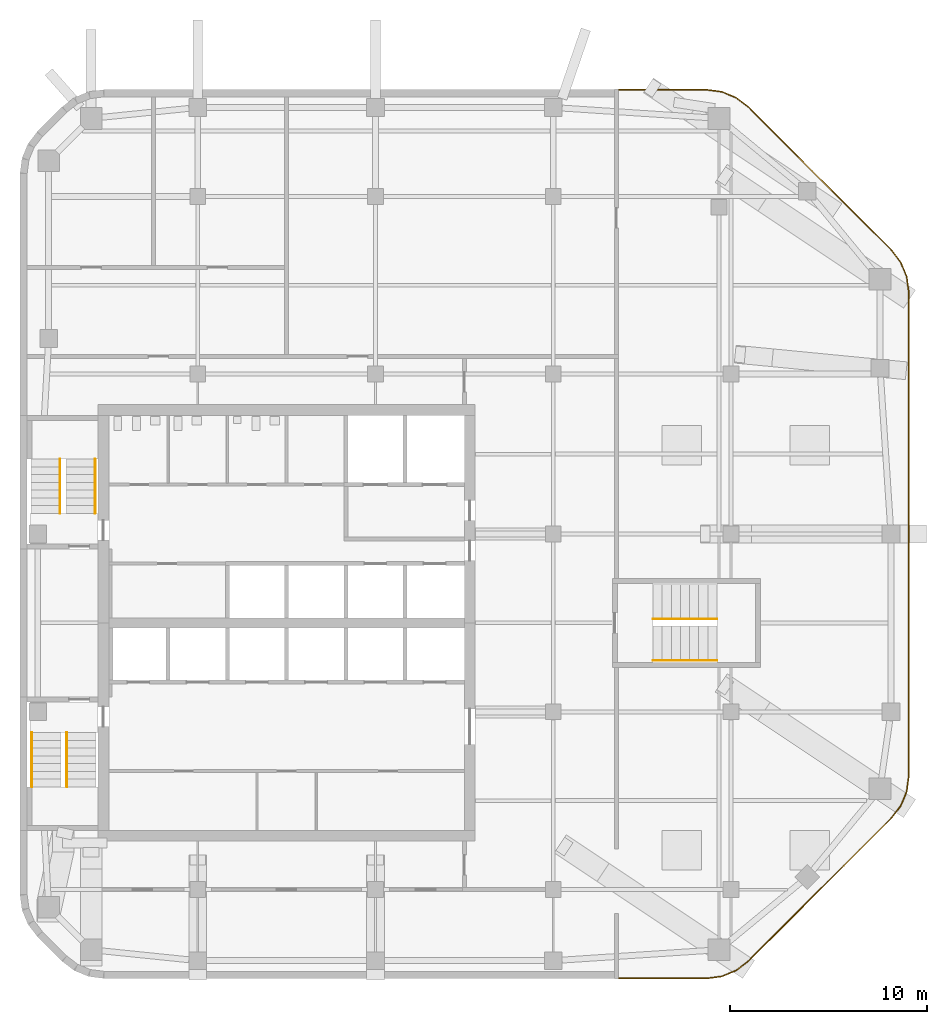
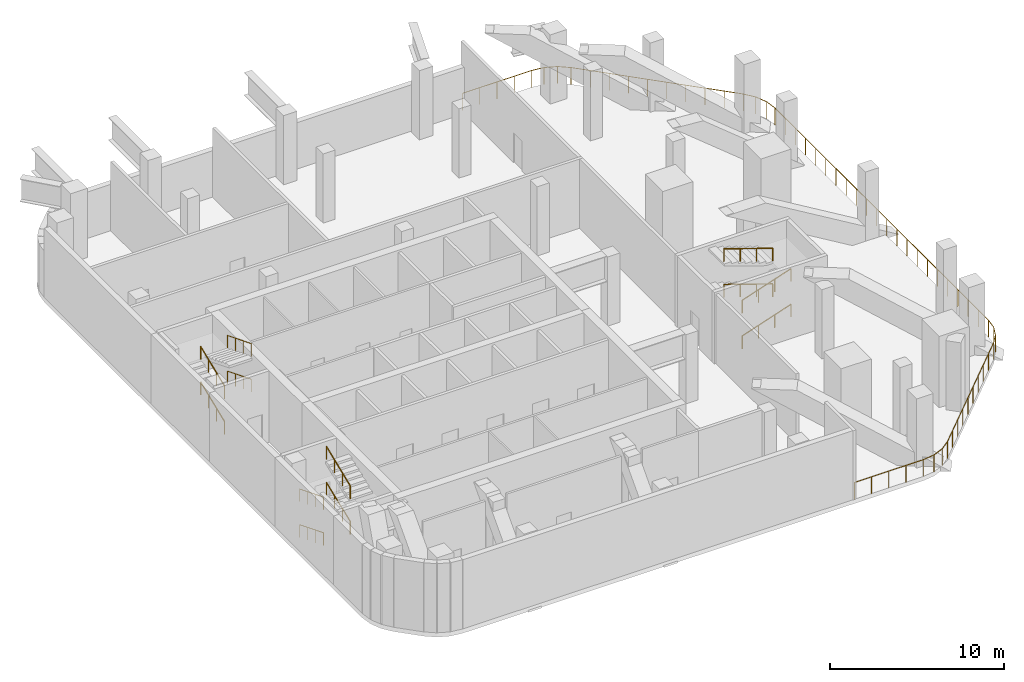
# One storey, part 6 of 8: 13 railings, 3 elements without a shape of their own.
"""IFC4 building model written with IfcOpenShell, lengths in metres."""

from ifc_helpers import new_model, si_unit, direction, frame, origin, origin_2d, place, context, subcontext, project, spatial, circle, extrude, material, type_object, element, aggregate, save


model = new_model("IFC4")

# Units and contexts
model_context = context("Model", 3, precision=1e-05, world=origin(), true_north=direction((0.0, 1.0)))
body_context = subcontext(model_context, "Body", "Model", "MODEL_VIEW")
ifc_project = project(units=[si_unit("LENGTHUNIT", "METRE"), si_unit("AREAUNIT", "SQUARE_METRE"), si_unit("VOLUMEUNIT", "CUBIC_METRE"), si_unit("PLANEANGLEUNIT", "RADIAN"), si_unit("MASSUNIT", "GRAM", prefix="KILO")], contexts=[model_context])

# Site, building, storey
site_placement = place(None, origin())
site = spatial("IfcSite", under=ifc_project, at=site_placement, CompositionType="ELEMENT")
building_placement = place(site_placement, origin())
building = spatial("IfcBuilding", under=site, at=building_placement, Name="Cinnabar Reach Civic Tower", CompositionType="ELEMENT")
storey_placement = place(building_placement, frame((0.0, 0.0, 242.0)))
storey = spatial("IfcBuildingStorey", under=building, at=storey_placement, Name="L58", CompositionType="ELEMENT", Elevation=242.0)

# Stair, railings
ifc_material_1 = material(Name="Concrete C40/50", Category="concrete")
stair_type = type_object("IfcStairType", Name="T1 Exit stair, double return", PredefinedType="DOUBLE_RETURN_STAIR", material=ifc_material_1)
stair_1_placement = place(storey_placement, origin())
stair_1 = element("IfcStair", 1, at=stair_1_placement, inside=storey, type_object=stair_type, Name="Stair T1-S1", PredefinedType="DOUBLE_RETURN_STAIR")
ifc_material_2 = material(Name="Stainless steel tube", Category="steel")
railing_type_1 = type_object("IfcRailingType", Name="T1 Stair handrail, stainless tube 48", PredefinedType="HANDRAIL", material=ifc_material_2)
railing_1_placement = place(storey_placement, frame((0.6, 25.95, 0.1562)))
railing_1 = element("IfcRailing", 2, at=railing_1_placement, type_object=railing_type_1, Name="T1-S1 handrail 1", PredefinedType="HANDRAIL", context=body_context, shape_type="SweptSolid", body=[
    extrude(circle(Radius=0.024, at=origin_2d()), frame((0.0, 0.0, 0.876), z_axis=(0.0, -0.928966009512, 0.370165035047), x_axis=(1.0, 0.0, 0.0)), (0.0, 0.0, 1.0), 2.9549),
    extrude(circle(Radius=0.021, at=origin_2d()), origin(), (0.0, 0.0, 1.0), 0.852),
    extrude(circle(Radius=0.021, at=origin_2d()), frame((0.0, -0.915, 0.3646)), (0.0, 0.0, 1.0), 0.852),
    extrude(circle(Radius=0.021, at=origin_2d()), frame((0.0, -1.83, 0.7292)), (0.0, 0.0, 1.0), 0.852),
    extrude(circle(Radius=0.021, at=origin_2d()), frame((0.0, -2.745, 1.0938)), (0.0, 0.0, 1.0), 0.852),
])
railing_2_placement = place(storey_placement, frame((2.375, 23.205, 1.4062)))
railing_2 = element("IfcRailing", 3, at=railing_2_placement, type_object=railing_type_1, Name="T1-S1 handrail 2", PredefinedType="HANDRAIL", context=body_context, shape_type="SweptSolid", body=[
    extrude(circle(Radius=0.024, at=origin_2d()), frame((0.0, 0.0, 0.876), z_axis=(0.0, 0.928966009512, 0.370165035047), x_axis=(-1.0, 0.0, 0.0)), (0.0, 0.0, 1.0), 2.9549),
    extrude(circle(Radius=0.021, at=origin_2d()), origin(), (0.0, 0.0, 1.0), 0.852),
    extrude(circle(Radius=0.021, at=origin_2d()), frame((0.0, 0.915, 0.3646)), (0.0, 0.0, 1.0), 0.852),
    extrude(circle(Radius=0.021, at=origin_2d()), frame((0.0, 1.83, 0.7292)), (0.0, 0.0, 1.0), 0.852),
    extrude(circle(Radius=0.021, at=origin_2d()), frame((0.0, 2.745, 1.0938)), (0.0, 0.0, 1.0), 0.852),
])
railing_3_placement = place(storey_placement, frame((0.6, 25.95, 2.6562)))
railing_3 = element("IfcRailing", 4, at=railing_3_placement, type_object=railing_type_1, Name="T1-S1 handrail 3", PredefinedType="HANDRAIL", context=body_context, shape_type="SweptSolid", body=[
    extrude(circle(Radius=0.024, at=origin_2d()), frame((0.0, 0.0, 0.876), z_axis=(0.0, -0.928966009512, 0.370165035047), x_axis=(1.0, 0.0, 0.0)), (0.0, 0.0, 1.0), 2.9549),
    extrude(circle(Radius=0.021, at=origin_2d()), origin(), (0.0, 0.0, 1.0), 0.852),
    extrude(circle(Radius=0.021, at=origin_2d()), frame((0.0, -0.915, 0.3646)), (0.0, 0.0, 1.0), 0.852),
    extrude(circle(Radius=0.021, at=origin_2d()), frame((0.0, -1.83, 0.7292)), (0.0, 0.0, 1.0), 0.852),
    extrude(circle(Radius=0.021, at=origin_2d()), frame((0.0, -2.745, 1.0938)), (0.0, 0.0, 1.0), 0.852),
])
railing_4_placement = place(storey_placement, frame((2.375, 23.205, 3.9062)))
railing_4 = element("IfcRailing", 5, at=railing_4_placement, type_object=railing_type_1, Name="T1-S1 handrail 4", PredefinedType="HANDRAIL", context=body_context, shape_type="SweptSolid", body=[
    extrude(circle(Radius=0.024, at=origin_2d()), frame((0.0, 0.0, 0.876), z_axis=(0.0, 0.928966009512, 0.370165035047), x_axis=(-1.0, 0.0, 0.0)), (0.0, 0.0, 1.0), 2.9549),
    extrude(circle(Radius=0.021, at=origin_2d()), origin(), (0.0, 0.0, 1.0), 0.852),
    extrude(circle(Radius=0.021, at=origin_2d()), frame((0.0, 0.915, 0.3646)), (0.0, 0.0, 1.0), 0.852),
    extrude(circle(Radius=0.021, at=origin_2d()), frame((0.0, 1.83, 0.7292)), (0.0, 0.0, 1.0), 0.852),
    extrude(circle(Radius=0.021, at=origin_2d()), frame((0.0, 2.745, 1.0938)), (0.0, 0.0, 1.0), 0.852),
])
aggregate(stair_1, [railing_1, railing_2, railing_3, railing_4])

stair_2_placement = place(storey_placement, origin())
stair_2 = element("IfcStair", 6, at=stair_2_placement, inside=storey, type_object=stair_type, Name="Stair T1-S2", PredefinedType="DOUBLE_RETURN_STAIR")
railing_5_placement = place(storey_placement, frame((2.025, 37.05, 0.1562)))
railing_5 = element("IfcRailing", 7, at=railing_5_placement, type_object=railing_type_1, Name="T1-S2 handrail 1", PredefinedType="HANDRAIL", context=body_context, shape_type="SweptSolid", body=[
    extrude(circle(Radius=0.024, at=origin_2d()), frame((0.0, 0.0, 0.876), z_axis=(0.0, 0.928966009512, 0.370165035047), x_axis=(-1.0, 0.0, 0.0)), (0.0, 0.0, 1.0), 2.9549),
    extrude(circle(Radius=0.021, at=origin_2d()), origin(), (0.0, 0.0, 1.0), 0.852),
    extrude(circle(Radius=0.021, at=origin_2d()), frame((0.0, 0.915, 0.3646)), (0.0, 0.0, 1.0), 0.852),
    extrude(circle(Radius=0.021, at=origin_2d()), frame((0.0, 1.83, 0.7292)), (0.0, 0.0, 1.0), 0.852),
    extrude(circle(Radius=0.021, at=origin_2d()), frame((0.0, 2.745, 1.0938)), (0.0, 0.0, 1.0), 0.852),
])
railing_6_placement = place(storey_placement, frame((3.8, 39.795, 1.4062)))
railing_6 = element("IfcRailing", 8, at=railing_6_placement, type_object=railing_type_1, Name="T1-S2 handrail 2", PredefinedType="HANDRAIL", context=body_context, shape_type="SweptSolid", body=[
    extrude(circle(Radius=0.024, at=origin_2d()), frame((0.0, 0.0, 0.876), z_axis=(0.0, -0.928966009512, 0.370165035047), x_axis=(1.0, 0.0, 0.0)), (0.0, 0.0, 1.0), 2.9549),
    extrude(circle(Radius=0.021, at=origin_2d()), origin(), (0.0, 0.0, 1.0), 0.852),
    extrude(circle(Radius=0.021, at=origin_2d()), frame((0.0, -0.915, 0.3646)), (0.0, 0.0, 1.0), 0.852),
    extrude(circle(Radius=0.021, at=origin_2d()), frame((0.0, -1.83, 0.7292)), (0.0, 0.0, 1.0), 0.852),
    extrude(circle(Radius=0.021, at=origin_2d()), frame((0.0, -2.745, 1.0938)), (0.0, 0.0, 1.0), 0.852),
])
railing_7_placement = place(storey_placement, frame((2.025, 37.05, 2.6562)))
railing_7 = element("IfcRailing", 9, at=railing_7_placement, type_object=railing_type_1, Name="T1-S2 handrail 3", PredefinedType="HANDRAIL", context=body_context, shape_type="SweptSolid", body=[
    extrude(circle(Radius=0.024, at=origin_2d()), frame((0.0, 0.0, 0.876), z_axis=(0.0, 0.928966009512, 0.370165035047), x_axis=(-1.0, 0.0, 0.0)), (0.0, 0.0, 1.0), 2.9549),
    extrude(circle(Radius=0.021, at=origin_2d()), origin(), (0.0, 0.0, 1.0), 0.852),
    extrude(circle(Radius=0.021, at=origin_2d()), frame((0.0, 0.915, 0.3646)), (0.0, 0.0, 1.0), 0.852),
    extrude(circle(Radius=0.021, at=origin_2d()), frame((0.0, 1.83, 0.7292)), (0.0, 0.0, 1.0), 0.852),
    extrude(circle(Radius=0.021, at=origin_2d()), frame((0.0, 2.745, 1.0938)), (0.0, 0.0, 1.0), 0.852),
])
railing_8_placement = place(storey_placement, frame((3.8, 39.795, 3.9062)))
railing_8 = element("IfcRailing", 10, at=railing_8_placement, type_object=railing_type_1, Name="T1-S2 handrail 4", PredefinedType="HANDRAIL", context=body_context, shape_type="SweptSolid", body=[
    extrude(circle(Radius=0.024, at=origin_2d()), frame((0.0, 0.0, 0.876), z_axis=(0.0, -0.928966009512, 0.370165035047), x_axis=(1.0, 0.0, 0.0)), (0.0, 0.0, 1.0), 2.9549),
    extrude(circle(Radius=0.021, at=origin_2d()), origin(), (0.0, 0.0, 1.0), 0.852),
    extrude(circle(Radius=0.021, at=origin_2d()), frame((0.0, -0.915, 0.3646)), (0.0, 0.0, 1.0), 0.852),
    extrude(circle(Radius=0.021, at=origin_2d()), frame((0.0, -1.83, 0.7292)), (0.0, 0.0, 1.0), 0.852),
    extrude(circle(Radius=0.021, at=origin_2d()), frame((0.0, -2.745, 1.0938)), (0.0, 0.0, 1.0), 0.852),
])
aggregate(stair_2, [railing_5, railing_6, railing_7, railing_8])

stair_3_placement = place(storey_placement, origin())
stair_3 = element("IfcStair", 11, at=stair_3_placement, inside=storey, type_object=stair_type, Name="Stair T1-S3", PredefinedType="DOUBLE_RETURN_STAIR")
railing_9_placement = place(storey_placement, frame((32.05, 29.6, 0.1562)))
railing_9 = element("IfcRailing", 12, at=railing_9_placement, type_object=railing_type_1, Name="T1-S3 handrail 1", PredefinedType="HANDRAIL", context=body_context, shape_type="SweptSolid", body=[
    extrude(circle(Radius=0.024, at=origin_2d()), frame((0.0, 0.0, 0.876), z_axis=(0.947465695108, 0.0, 0.319857400404), x_axis=(0.0, 1.0, 0.0)), (0.0, 0.0, 1.0), 3.4196),
    extrude(circle(Radius=0.021, at=origin_2d()), origin(), (0.0, 0.0, 1.0), 0.852),
    extrude(circle(Radius=0.021, at=origin_2d()), frame((1.08, 0.0, 0.3646)), (0.0, 0.0, 1.0), 0.852),
    extrude(circle(Radius=0.021, at=origin_2d()), frame((2.16, 0.0, 0.7292)), (0.0, 0.0, 1.0), 0.852),
    extrude(circle(Radius=0.021, at=origin_2d()), frame((3.24, 0.0, 1.0938)), (0.0, 0.0, 1.0), 0.852),
])
railing_10_placement = place(storey_placement, frame((35.29, 31.7, 1.4062)))
railing_10 = element("IfcRailing", 13, at=railing_10_placement, type_object=railing_type_1, Name="T1-S3 handrail 2", PredefinedType="HANDRAIL", context=body_context, shape_type="SweptSolid", body=[
    extrude(circle(Radius=0.024, at=origin_2d()), frame((0.0, 0.0, 0.876), z_axis=(-0.947465695108, 0.0, 0.319857400404), x_axis=(0.0, -1.0, 0.0)), (0.0, 0.0, 1.0), 3.4196),
    extrude(circle(Radius=0.021, at=origin_2d()), origin(), (0.0, 0.0, 1.0), 0.852),
    extrude(circle(Radius=0.021, at=origin_2d()), frame((-1.08, 0.0, 0.3646)), (0.0, 0.0, 1.0), 0.852),
    extrude(circle(Radius=0.021, at=origin_2d()), frame((-2.16, 0.0, 0.7292)), (0.0, 0.0, 1.0), 0.852),
    extrude(circle(Radius=0.021, at=origin_2d()), frame((-3.24, 0.0, 1.0938)), (0.0, 0.0, 1.0), 0.852),
])
railing_11_placement = place(storey_placement, frame((32.05, 29.6, 2.6562)))
railing_11 = element("IfcRailing", 14, at=railing_11_placement, type_object=railing_type_1, Name="T1-S3 handrail 3", PredefinedType="HANDRAIL", context=body_context, shape_type="SweptSolid", body=[
    extrude(circle(Radius=0.024, at=origin_2d()), frame((0.0, 0.0, 0.876), z_axis=(0.947465695108, 0.0, 0.319857400404), x_axis=(0.0, 1.0, 0.0)), (0.0, 0.0, 1.0), 3.4196),
    extrude(circle(Radius=0.021, at=origin_2d()), origin(), (0.0, 0.0, 1.0), 0.852),
    extrude(circle(Radius=0.021, at=origin_2d()), frame((1.08, 0.0, 0.3646)), (0.0, 0.0, 1.0), 0.852),
    extrude(circle(Radius=0.021, at=origin_2d()), frame((2.16, 0.0, 0.7292)), (0.0, 0.0, 1.0), 0.852),
    extrude(circle(Radius=0.021, at=origin_2d()), frame((3.24, 0.0, 1.0938)), (0.0, 0.0, 1.0), 0.852),
])
railing_12_placement = place(storey_placement, frame((35.29, 31.7, 3.9062)))
railing_12 = element("IfcRailing", 15, at=railing_12_placement, type_object=railing_type_1, Name="T1-S3 handrail 4", PredefinedType="HANDRAIL", context=body_context, shape_type="SweptSolid", body=[
    extrude(circle(Radius=0.024, at=origin_2d()), frame((0.0, 0.0, 0.876), z_axis=(-0.947465695108, 0.0, 0.319857400404), x_axis=(0.0, -1.0, 0.0)), (0.0, 0.0, 1.0), 3.4196),
    extrude(circle(Radius=0.021, at=origin_2d()), origin(), (0.0, 0.0, 1.0), 0.852),
    extrude(circle(Radius=0.021, at=origin_2d()), frame((-1.08, 0.0, 0.3646)), (0.0, 0.0, 1.0), 0.852),
    extrude(circle(Radius=0.021, at=origin_2d()), frame((-2.16, 0.0, 0.7292)), (0.0, 0.0, 1.0), 0.852),
    extrude(circle(Radius=0.021, at=origin_2d()), frame((-3.24, 0.0, 1.0938)), (0.0, 0.0, 1.0), 0.852),
])
aggregate(stair_3, [railing_9, railing_10, railing_11, railing_12])

# Railing
ifc_material_3 = material(Name="Stainless steel and laminated glass", Category="steel")
railing_type_2 = type_object("IfcRailingType", Name="T1 guard, stainless balustrade 1200", PredefinedType="GUARDRAIL", material=ifc_material_3)
railing_13_placement = place(storey_placement, frame((30.2, 13.5, 0.0)))
element("IfcRailing", 16, at=railing_13_placement, inside=storey, type_object=railing_type_2, Name="Guard on the open edge of the wind slot", PredefinedType="GUARDRAIL", context=body_context, shape_type="SweptSolid", body=[
    extrude(circle(Radius=0.024, at=origin_2d()), frame((0.0, 0.0, 1.176), z_axis=(1.0, 0.0, 0.0), x_axis=(0.0, 1.0, 0.0)), (0.0, 0.0, 1.0), 4.5574),
    extrude(circle(Radius=0.024, at=origin_2d()), frame((4.5574, 0.0, 1.176), z_axis=(0.991447339852, 0.130507364932, 0.0), x_axis=(-0.130507364932, 0.991447339852, 0.0)), (0.0, 0.0, 1.0), 0.7831),
    extrude(circle(Radius=0.024, at=origin_2d()), frame((5.3338, 0.1022, 1.176), z_axis=(0.923890787601, 0.382656259044, 0.0), x_axis=(-0.382656259044, 0.923890787601, 0.0)), (0.0, 0.0, 1.0), 0.7832),
    extrude(circle(Radius=0.024, at=origin_2d()), frame((6.0574, 0.4019, 1.176), z_axis=(0.793316496995, 0.608809441119, 0.0), x_axis=(-0.608809441119, 0.793316496995, 0.0)), (0.0, 0.0, 1.0), 0.7832),
    extrude(circle(Radius=0.024, at=origin_2d()), frame((6.6787, 0.8787, 1.176), z_axis=(0.707106781187, 0.707106781187, 0.0), x_axis=(-0.707106781187, 0.707106781187, 0.0)), (0.0, 0.0, 1.0), 10.2426),
    extrude(circle(Radius=0.024, at=origin_2d()), frame((13.9213, 8.1213, 1.176), z_axis=(0.608809441119, 0.793316496995, 0.0), x_axis=(-0.793316496995, 0.608809441119, 0.0)), (0.0, 0.0, 1.0), 0.7832),
    extrude(circle(Radius=0.024, at=origin_2d()), frame((14.3981, 8.7426, 1.176), z_axis=(0.382656259044, 0.923890787601, 0.0), x_axis=(-0.923890787601, 0.382656259044, 0.0)), (0.0, 0.0, 1.0), 0.7832),
    extrude(circle(Radius=0.024, at=origin_2d()), frame((14.6978, 9.4662, 1.176), z_axis=(0.130507364932, 0.991447339852, 0.0), x_axis=(-0.991447339852, 0.130507364932, 0.0)), (0.0, 0.0, 1.0), 0.7831),
    extrude(circle(Radius=0.024, at=origin_2d()), frame((14.8, 10.2426, 1.176), z_axis=(0.0, 1.0, 0.0), x_axis=(-1.0, 0.0, 0.0)), (0.0, 0.0, 1.0), 24.5148),
    extrude(circle(Radius=0.024, at=origin_2d()), frame((14.8, 34.7574, 1.176), z_axis=(-0.130507364932, 0.991447339852, 0.0), x_axis=(-0.991447339852, -0.130507364932, 0.0)), (0.0, 0.0, 1.0), 0.7831),
    extrude(circle(Radius=0.024, at=origin_2d()), frame((14.6978, 35.5338, 1.176), z_axis=(-0.382656259044, 0.923890787601, 0.0), x_axis=(-0.923890787601, -0.382656259044, 0.0)), (0.0, 0.0, 1.0), 0.7832),
    extrude(circle(Radius=0.024, at=origin_2d()), frame((14.3981, 36.2574, 1.176), z_axis=(-0.608809441119, 0.793316496995, 0.0), x_axis=(-0.793316496995, -0.608809441119, 0.0)), (0.0, 0.0, 1.0), 0.7832),
    extrude(circle(Radius=0.024, at=origin_2d()), frame((13.9213, 36.8787, 1.176), z_axis=(-0.707106781187, 0.707106781187, 0.0), x_axis=(-0.707106781187, -0.707106781187, 0.0)), (0.0, 0.0, 1.0), 10.2426),
    extrude(circle(Radius=0.024, at=origin_2d()), frame((6.6787, 44.1213, 1.176), z_axis=(-0.793316496995, 0.608809441119, 0.0), x_axis=(-0.608809441119, -0.793316496995, 0.0)), (0.0, 0.0, 1.0), 0.7832),
    extrude(circle(Radius=0.024, at=origin_2d()), frame((6.0574, 44.5981, 1.176), z_axis=(-0.923890787601, 0.382656259044, 0.0), x_axis=(-0.382656259044, -0.923890787601, 0.0)), (0.0, 0.0, 1.0), 0.7832),
    extrude(circle(Radius=0.024, at=origin_2d()), frame((5.3338, 44.8978, 1.176), z_axis=(-0.991447339852, 0.130507364932, 0.0), x_axis=(-0.130507364932, -0.991447339852, 0.0)), (0.0, 0.0, 1.0), 0.7831),
    extrude(circle(Radius=0.024, at=origin_2d()), frame((4.5574, 45.0, 1.176), z_axis=(-1.0, 0.0, 0.0), x_axis=(0.0, -1.0, 0.0)), (0.0, 0.0, 1.0), 4.5574),
    extrude(circle(Radius=0.021, at=origin_2d()), origin(), (0.0, 0.0, 1.0), 1.152),
    extrude(circle(Radius=0.021, at=origin_2d()), frame((1.1393, 0.0, 0.0)), (0.0, 0.0, 1.0), 1.152),
    extrude(circle(Radius=0.021, at=origin_2d()), frame((2.2787, 0.0, 0.0)), (0.0, 0.0, 1.0), 1.152),
    extrude(circle(Radius=0.021, at=origin_2d()), frame((3.418, 0.0, 0.0)), (0.0, 0.0, 1.0), 1.152),
    extrude(circle(Radius=0.021, at=origin_2d()), frame((4.5574, 0.0, 0.0)), (0.0, 0.0, 1.0), 1.152),
    extrude(circle(Radius=0.021, at=origin_2d()), frame((5.3338, 0.1022, 0.0)), (0.0, 0.0, 1.0), 1.152),
    extrude(circle(Radius=0.021, at=origin_2d()), frame((6.0574, 0.4019, 0.0)), (0.0, 0.0, 1.0), 1.152),
    extrude(circle(Radius=0.021, at=origin_2d()), frame((6.6787, 0.8787, 0.0)), (0.0, 0.0, 1.0), 1.152),
    extrude(circle(Radius=0.021, at=origin_2d()), frame((7.4834, 1.6834, 0.0)), (0.0, 0.0, 1.0), 1.152),
    extrude(circle(Radius=0.021, at=origin_2d()), frame((8.2882, 2.4882, 0.0)), (0.0, 0.0, 1.0), 1.152),
    extrude(circle(Radius=0.021, at=origin_2d()), frame((9.0929, 3.2929, 0.0)), (0.0, 0.0, 1.0), 1.152),
    extrude(circle(Radius=0.021, at=origin_2d()), frame((9.8976, 4.0976, 0.0)), (0.0, 0.0, 1.0), 1.152),
    extrude(circle(Radius=0.021, at=origin_2d()), frame((10.7024, 4.9024, 0.0)), (0.0, 0.0, 1.0), 1.152),
    extrude(circle(Radius=0.021, at=origin_2d()), frame((11.5071, 5.7071, 0.0)), (0.0, 0.0, 1.0), 1.152),
    extrude(circle(Radius=0.021, at=origin_2d()), frame((12.3118, 6.5118, 0.0)), (0.0, 0.0, 1.0), 1.152),
    extrude(circle(Radius=0.021, at=origin_2d()), frame((13.1166, 7.3166, 0.0)), (0.0, 0.0, 1.0), 1.152),
    extrude(circle(Radius=0.021, at=origin_2d()), frame((13.9213, 8.1213, 0.0)), (0.0, 0.0, 1.0), 1.152),
    extrude(circle(Radius=0.021, at=origin_2d()), frame((14.3981, 8.7426, 0.0)), (0.0, 0.0, 1.0), 1.152),
    extrude(circle(Radius=0.021, at=origin_2d()), frame((14.6978, 9.4662, 0.0)), (0.0, 0.0, 1.0), 1.152),
    extrude(circle(Radius=0.021, at=origin_2d()), frame((14.8, 10.2426, 0.0)), (0.0, 0.0, 1.0), 1.152),
    extrude(circle(Radius=0.021, at=origin_2d()), frame((14.8, 11.41, 0.0)), (0.0, 0.0, 1.0), 1.152),
    extrude(circle(Radius=0.021, at=origin_2d()), frame((14.8, 12.5773, 0.0)), (0.0, 0.0, 1.0), 1.152),
    extrude(circle(Radius=0.021, at=origin_2d()), frame((14.8, 13.7447, 0.0)), (0.0, 0.0, 1.0), 1.152),
    extrude(circle(Radius=0.021, at=origin_2d()), frame((14.8, 14.9121, 0.0)), (0.0, 0.0, 1.0), 1.152),
    extrude(circle(Radius=0.021, at=origin_2d()), frame((14.8, 16.0795, 0.0)), (0.0, 0.0, 1.0), 1.152),
    extrude(circle(Radius=0.021, at=origin_2d()), frame((14.8, 17.2468, 0.0)), (0.0, 0.0, 1.0), 1.152),
    extrude(circle(Radius=0.021, at=origin_2d()), frame((14.8, 18.4142, 0.0)), (0.0, 0.0, 1.0), 1.152),
    extrude(circle(Radius=0.021, at=origin_2d()), frame((14.8, 19.5816, 0.0)), (0.0, 0.0, 1.0), 1.152),
    extrude(circle(Radius=0.021, at=origin_2d()), frame((14.8, 20.7489, 0.0)), (0.0, 0.0, 1.0), 1.152),
    extrude(circle(Radius=0.021, at=origin_2d()), frame((14.8, 21.9163, 0.0)), (0.0, 0.0, 1.0), 1.152),
    extrude(circle(Radius=0.021, at=origin_2d()), frame((14.8, 23.0837, 0.0)), (0.0, 0.0, 1.0), 1.152),
    extrude(circle(Radius=0.021, at=origin_2d()), frame((14.8, 24.2511, 0.0)), (0.0, 0.0, 1.0), 1.152),
    extrude(circle(Radius=0.021, at=origin_2d()), frame((14.8, 25.4184, 0.0)), (0.0, 0.0, 1.0), 1.152),
    extrude(circle(Radius=0.021, at=origin_2d()), frame((14.8, 26.5858, 0.0)), (0.0, 0.0, 1.0), 1.152),
    extrude(circle(Radius=0.021, at=origin_2d()), frame((14.8, 27.7532, 0.0)), (0.0, 0.0, 1.0), 1.152),
    extrude(circle(Radius=0.021, at=origin_2d()), frame((14.8, 28.9205, 0.0)), (0.0, 0.0, 1.0), 1.152),
    extrude(circle(Radius=0.021, at=origin_2d()), frame((14.8, 30.0879, 0.0)), (0.0, 0.0, 1.0), 1.152),
    extrude(circle(Radius=0.021, at=origin_2d()), frame((14.8, 31.2553, 0.0)), (0.0, 0.0, 1.0), 1.152),
    extrude(circle(Radius=0.021, at=origin_2d()), frame((14.8, 32.4227, 0.0)), (0.0, 0.0, 1.0), 1.152),
    extrude(circle(Radius=0.021, at=origin_2d()), frame((14.8, 33.59, 0.0)), (0.0, 0.0, 1.0), 1.152),
    extrude(circle(Radius=0.021, at=origin_2d()), frame((14.8, 34.7574, 0.0)), (0.0, 0.0, 1.0), 1.152),
    extrude(circle(Radius=0.021, at=origin_2d()), frame((14.6978, 35.5338, 0.0)), (0.0, 0.0, 1.0), 1.152),
    extrude(circle(Radius=0.021, at=origin_2d()), frame((14.3981, 36.2574, 0.0)), (0.0, 0.0, 1.0), 1.152),
    extrude(circle(Radius=0.021, at=origin_2d()), frame((13.9213, 36.8787, 0.0)), (0.0, 0.0, 1.0), 1.152),
    extrude(circle(Radius=0.021, at=origin_2d()), frame((13.1166, 37.6834, 0.0)), (0.0, 0.0, 1.0), 1.152),
    extrude(circle(Radius=0.021, at=origin_2d()), frame((12.3118, 38.4882, 0.0)), (0.0, 0.0, 1.0), 1.152),
    extrude(circle(Radius=0.021, at=origin_2d()), frame((11.5071, 39.2929, 0.0)), (0.0, 0.0, 1.0), 1.152),
    extrude(circle(Radius=0.021, at=origin_2d()), frame((10.7024, 40.0976, 0.0)), (0.0, 0.0, 1.0), 1.152),
    extrude(circle(Radius=0.021, at=origin_2d()), frame((9.8976, 40.9024, 0.0)), (0.0, 0.0, 1.0), 1.152),
    extrude(circle(Radius=0.021, at=origin_2d()), frame((9.0929, 41.7071, 0.0)), (0.0, 0.0, 1.0), 1.152),
    extrude(circle(Radius=0.021, at=origin_2d()), frame((8.2882, 42.5118, 0.0)), (0.0, 0.0, 1.0), 1.152),
    extrude(circle(Radius=0.021, at=origin_2d()), frame((7.4834, 43.3166, 0.0)), (0.0, 0.0, 1.0), 1.152),
    extrude(circle(Radius=0.021, at=origin_2d()), frame((6.6787, 44.1213, 0.0)), (0.0, 0.0, 1.0), 1.152),
    extrude(circle(Radius=0.021, at=origin_2d()), frame((6.0574, 44.5981, 0.0)), (0.0, 0.0, 1.0), 1.152),
    extrude(circle(Radius=0.021, at=origin_2d()), frame((5.3338, 44.8978, 0.0)), (0.0, 0.0, 1.0), 1.152),
    extrude(circle(Radius=0.021, at=origin_2d()), frame((4.5574, 45.0, 0.0)), (0.0, 0.0, 1.0), 1.152),
    extrude(circle(Radius=0.021, at=origin_2d()), frame((3.418, 45.0, 0.0)), (0.0, 0.0, 1.0), 1.152),
    extrude(circle(Radius=0.021, at=origin_2d()), frame((2.2787, 45.0, 0.0)), (0.0, 0.0, 1.0), 1.152),
    extrude(circle(Radius=0.021, at=origin_2d()), frame((1.1393, 45.0, 0.0)), (0.0, 0.0, 1.0), 1.152),
    extrude(circle(Radius=0.021, at=origin_2d()), frame((0.0, 45.0, 0.0)), (0.0, 0.0, 1.0), 1.152),
])

save(model, "model.ifc")
